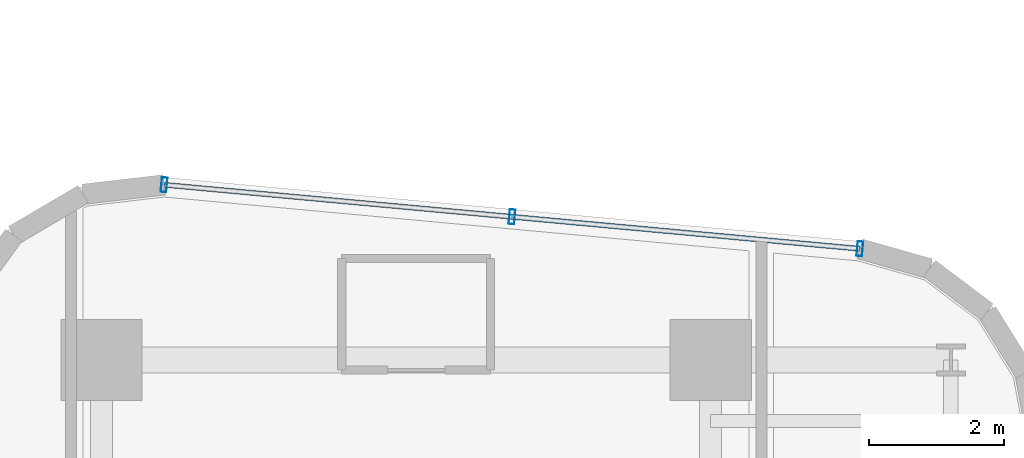
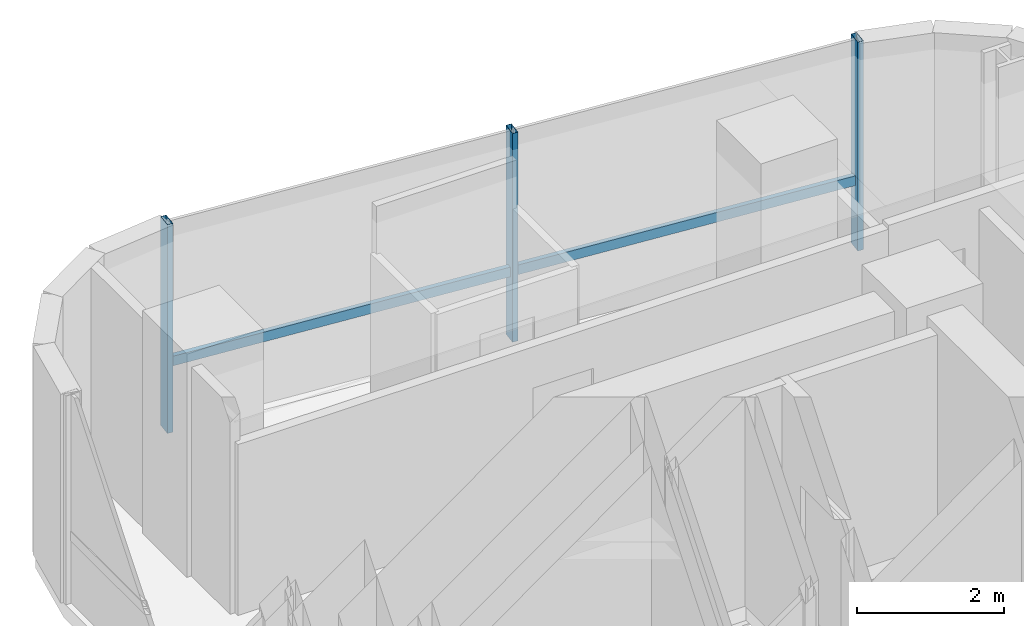
# One storey, part 22 of 33: 4 members, 1 element without a shape of its own.
"""IFC4 building model written with IfcOpenShell, lengths in metres."""

from ifc_helpers import new_model, si_unit, direction, frame, origin, origin_2d, place, context, subcontext, project, spatial, hollow_rectangle, extrude, source, transform, mapped, material, material_profile, profile_set, type_object, element, aggregate, save


model = new_model("IFC4")

# Units and contexts
model_context = context("Model", 3, precision=1e-05, world=origin(), true_north=direction((0.0, 1.0)))
body_context = subcontext(model_context, "Body", "Model", "MODEL_VIEW")
ifc_project = project(units=[si_unit("LENGTHUNIT", "METRE"), si_unit("AREAUNIT", "SQUARE_METRE"), si_unit("VOLUMEUNIT", "CUBIC_METRE"), si_unit("PLANEANGLEUNIT", "RADIAN"), si_unit("MASSUNIT", "GRAM", prefix="KILO")], contexts=[model_context])

# Site, building, storey
site_placement = place(None, origin())
site = spatial("IfcSite", under=ifc_project, at=site_placement, CompositionType="ELEMENT")
building_placement = place(site_placement, origin())
building = spatial("IfcBuilding", under=site, at=building_placement, Name="Valdorenza Pilgrim Sanctuary Tower", CompositionType="ELEMENT")
storey_placement = place(building_placement, frame((0.0, 0.0, 157.5)))
storey = spatial("IfcBuildingStorey", under=building, at=storey_placement, Name="L40", CompositionType="ELEMENT", Elevation=157.5)

# Curtain wall, members
ifc_material_1 = material(Name="Curtain-wall IGU glazing", Category="glass")
curtain_wall_type = type_object("IfcCurtainWallType", Name="CW-SYS-03", PredefinedType="NOTDEFINED", material=ifc_material_1)
curtain_wall_placement = place(storey_placement, origin())
curtain_wall = element("IfcCurtainWall", 1, at=curtain_wall_placement, inside=storey, type_object=curtain_wall_type, Name="L40 Curtain Wall CW-L40-2-6", PredefinedType="NOTDEFINED")
ifc_material_2 = material(Name="Anodised aluminium AW-6060", Category="aluminium")
ifc_material_profile_1 = material_profile(ifc_material_2, hollow_rectangle(XDim=0.0849609375, YDim=0.219970703125, WallThickness=0.0048828125, at=origin_2d()), Name="ALU-M 220x85x5")
ifc_profile_set_1 = profile_set([ifc_material_profile_1], Name="Anodised aluminium AW-6060")
member_type_1 = type_object("IfcMemberType", Name="CW-MUL-03", PredefinedType="MULLION", material=ifc_profile_set_1)
shared_shape_1 = source(origin(), body_context, "Body", "SweptSolid", [
    extrude(hollow_rectangle(XDim=0.0849609375, YDim=0.219970703125, WallThickness=0.0048828125, at=origin_2d()), origin(), (0.0, 0.0, 1.0), 3.4599609375),
])
member_1_placement = place(storey_placement, frame((16.776123046875, 16.087890625, 0.0), z_axis=(0.0, 0.0, 1.0), x_axis=(0.995793741111, -0.091623278503, 0.0)))
member_1 = element("IfcMember", 2, at=member_1_placement, type_object=member_type_1, Name="CW-L40-2-6 Mullion 1", PredefinedType="MULLION", context=body_context, shape_type="MappedRepresentation", body=[
    mapped(shared_shape_1, transform((0.0, 0.0, 0.0), x_axis=(1.0, 0.0, 0.0), y_axis=(0.0, 1.0, 0.0), z_axis=(0.0, 0.0, 1.0), scale=1.0)),
])
member_2_placement = place(storey_placement, frame((21.915283203125, 15.614990234375, 0.0), z_axis=(0.0, 0.0, 1.0), x_axis=(0.995793741111, -0.091623278503, 0.0)))
member_2 = element("IfcMember", 3, at=member_2_placement, type_object=member_type_1, Name="CW-L40-2-6 Mullion 2", PredefinedType="MULLION", context=body_context, shape_type="MappedRepresentation", body=[
    mapped(shared_shape_1, transform((0.0, 0.0, 0.0), x_axis=(1.0, 0.0, 0.0), y_axis=(0.0, 1.0, 0.0), z_axis=(0.0, 0.0, 1.0), scale=1.0)),
])
member_3_placement = place(storey_placement, frame((27.0546875, 15.14208984375, 0.0), z_axis=(0.0, 0.0, 1.0), x_axis=(0.995793741111, -0.091623278503, 0.0)))
member_3 = element("IfcMember", 4, at=member_3_placement, type_object=member_type_1, Name="CW-L40-2-6 Mullion 3", PredefinedType="MULLION", context=body_context, shape_type="MappedRepresentation", body=[
    mapped(shared_shape_1, transform((0.0, 0.0, 0.0), x_axis=(1.0, 0.0, 0.0), y_axis=(0.0, 1.0, 0.0), z_axis=(0.0, 0.0, 1.0), scale=1.0)),
])
ifc_material_profile_2 = material_profile(ifc_material_2, hollow_rectangle(XDim=0.074951171875, YDim=0.159912109375, WallThickness=0.00390625, at=origin_2d()), Name="ALU-T 160x75x4")
ifc_profile_set_2 = profile_set([ifc_material_profile_2], Name="Anodised aluminium AW-6060")
member_type_2 = type_object("IfcMemberType", Name="CW-TRN-03", PredefinedType="USERDEFINED", material=ifc_profile_set_2)
shared_shape_2 = source(origin(), body_context, "Body", "SweptSolid", [
    extrude(hollow_rectangle(XDim=0.074951171875, YDim=0.159912109375, WallThickness=0.00390625, at=origin_2d()), origin(), (0.0, 0.0, 1.0), 10.322021484375),
])
member_4_placement = place(storey_placement, frame((16.776123046875, 16.087890625, 1.1201171875), z_axis=(0.995793148807, -0.091629715648, 0.0), x_axis=(0.091629715648, 0.995793148807, 0.0)))
member_4 = element("IfcMember", 5, at=member_4_placement, type_object=member_type_2, Name="CW-L40-2-6 Transom 1", ObjectType="TRANSOM", PredefinedType="USERDEFINED", context=body_context, shape_type="MappedRepresentation", body=[
    mapped(shared_shape_2, transform((0.0, 0.0, 0.0), x_axis=(1.0, 0.0, 0.0), y_axis=(0.0, 1.0, 0.0), z_axis=(0.0, 0.0, 1.0), scale=1.0)),
])
aggregate(curtain_wall, [member_1, member_2, member_3, member_4])

save(model, "model.ifc")
